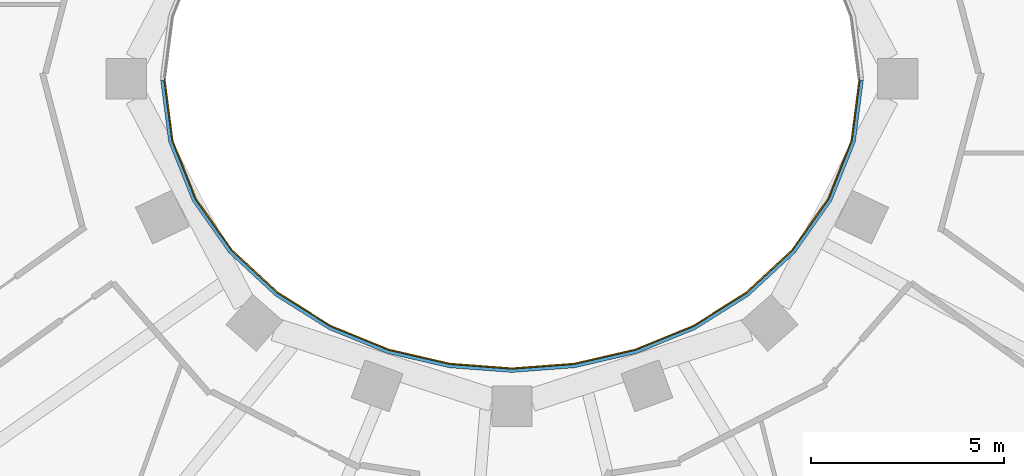
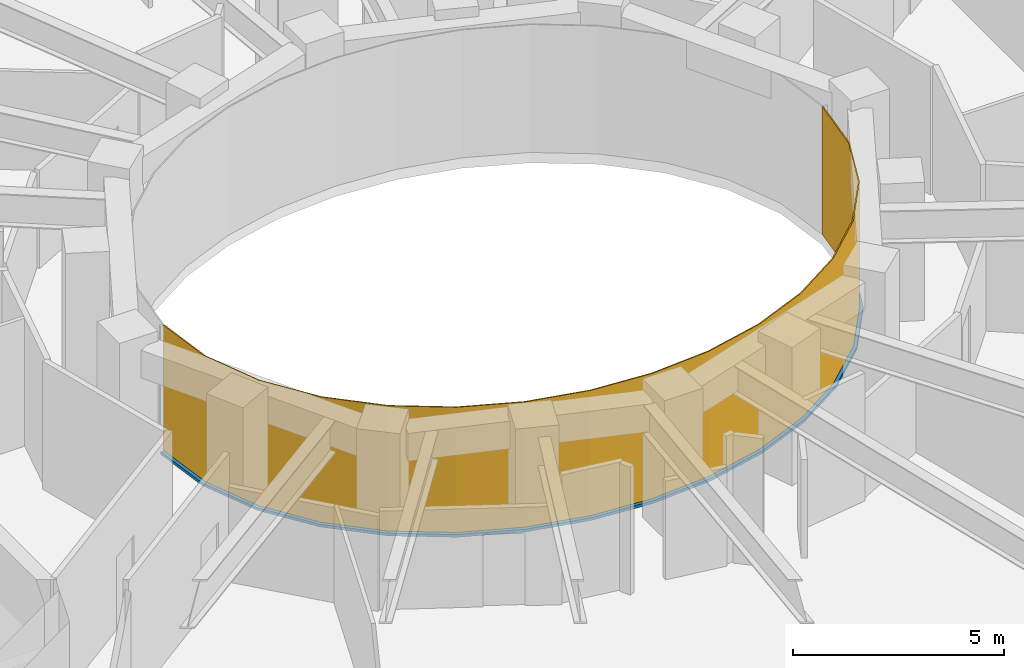
# One storey, part 9 of 16: 1 curtain wall, 1 member.
"""IFC4 building model written with IfcOpenShell, lengths in metres."""

from ifc_helpers import new_model, si_unit, direction, frame, origin, place, context, subcontext, project, spatial, polyline, outline, extrude, material, layer, layer_set, type_object, element, aggregate, save


model = new_model("IFC4")

# Units and contexts
model_context = context("Model", 3, precision=1e-05, world=origin(), true_north=direction((0.0, 1.0)))
body_context = subcontext(model_context, "Body", "Model", "MODEL_VIEW")
ifc_project = project(units=[si_unit("LENGTHUNIT", "METRE"), si_unit("AREAUNIT", "SQUARE_METRE"), si_unit("VOLUMEUNIT", "CUBIC_METRE"), si_unit("PLANEANGLEUNIT", "RADIAN"), si_unit("MASSUNIT", "GRAM", prefix="KILO")], contexts=[model_context])

# Member
ifc_material_1 = material(Name="Steel S355 fire-resisting frame", Category="steel")
member_type = type_object("IfcMemberType", Name="ENV-TRANSOM-W", PredefinedType="USERDEFINED", material=ifc_material_1)
site_placement = place(None, origin())
building_placement = place(site_placement, origin())
storey_placement = place(building_placement, frame((0.0, 0.0, 186.0)))
member_placement = place(storey_placement, origin())
member = element("IfcMember", 1, at=member_placement, type_object=member_type, Name="Transom W well 17-01", ObjectType="TRANSOM", PredefinedType="USERDEFINED", context=body_context, shape_type="SweptSolid", body=[
    extrude(outline(polyline([(-9.119384765625, -0.02783203125), (-8.910400390625, -1.63623046875), (-8.29833984375, -3.167236328125), (-7.35107421875, -4.5146484375), (-6.1455078125, -5.6337890625), (-4.75341796875, -6.50634765625), (-3.233642578125, -7.127685546875), (-1.635498046875, -7.498779296875), (0.0, -7.622314453125), (1.635498046875, -7.498779296875), (3.233642578125, -7.127685546875), (4.75341796875, -6.50634765625), (6.1455078125, -5.6337890625), (7.35107421875, -4.5146484375), (8.29833984375, -3.167236328125), (8.910400390625, -1.63623046875), (9.119384765625, -0.02783203125), (9.02880859375, -0.02783203125), (8.822509765625, -1.61328125), (8.21875, -3.124267578125), (7.282958984375, -4.455078125), (6.090576171875, -5.56201171875), (4.712158203125, -6.426025390625), (3.206298828125, -7.04150390625), (1.621826171875, -7.40966796875), (0.0, -7.531982421875), (-1.621826171875, -7.40966796875), (-3.206298828125, -7.04150390625), (-4.712158203125, -6.426025390625), (-6.090576171875, -5.56201171875), (-7.282958984375, -4.455078125), (-8.21875, -3.124267578125), (-8.822509765625, -1.61328125), (-9.02880859375, -0.02783203125), (-9.119384765625, -0.02783203125)])), origin(), (0.0, 0.0, 1.0), 0.080078125),
])

# Site, building, storey
site = spatial("IfcSite", under=ifc_project, at=site_placement, CompositionType="ELEMENT")
building = spatial("IfcBuilding", under=site, at=building_placement, Name="Noorbagh Ring Tower", CompositionType="ELEMENT")
storey = spatial("IfcBuildingStorey", under=building, at=storey_placement, Name="L43", CompositionType="ELEMENT", Elevation=186.0)

# Curtain wall
ifc_material_2 = material(Name="Glass fire-resisting E60 laminated", Category="glass")
ifc_layer = layer(ifc_material_2, 0.031982421875)
ifc_layer_set = layer_set([ifc_layer], Name="Glass fire-resisting E60 laminated")
curtain_wall_type = type_object("IfcCurtainWallType", Name="ENV-CW-W", PredefinedType="NOTDEFINED", material=ifc_layer_set)
curtain_wall_placement = place(storey_placement, origin())
curtain_wall = element("IfcCurtainWall", 2, at=curtain_wall_placement, inside=storey, type_object=curtain_wall_type, Name="Curtain wall W W17", PredefinedType="NOTDEFINED", context=body_context, shape_type="SweptSolid", body=[
    extrude(outline(polyline([(-9.0322265625, 0.0), (-8.822509765625, -1.61328125), (-8.21875, -3.124267578125), (-7.282958984375, -4.455078125), (-6.090576171875, -5.56201171875), (-4.712158203125, -6.426025390625), (-3.206298828125, -7.04150390625), (-1.621826171875, -7.40966796875), (0.0, -7.531982421875), (1.621826171875, -7.40966796875), (3.206298828125, -7.04150390625), (4.712158203125, -6.426025390625), (6.090576171875, -5.56201171875), (7.282958984375, -4.455078125), (8.21875, -3.124267578125), (8.822509765625, -1.61328125), (9.0322265625, 0.0), (9.0, 0.0), (8.79150390625, -1.605224609375), (8.1904296875, -3.10888671875), (7.2587890625, -4.43408203125), (6.071044921875, -5.53662109375), (4.697509765625, -6.3974609375), (3.196533203125, -7.010986328125), (1.6171875, -7.3779296875), (0.0, -7.5), (-1.6171875, -7.3779296875), (-3.196533203125, -7.010986328125), (-4.697509765625, -6.3974609375), (-6.071044921875, -5.53662109375), (-7.2587890625, -4.43408203125), (-8.1904296875, -3.10888671875), (-8.79150390625, -1.605224609375), (-9.0, 0.0), (-9.0322265625, 0.0)])), origin(), (0.0, 0.0, 1.0), 3.699951171875),
])

aggregate(curtain_wall, [member])

save(model, "model.ifc")
